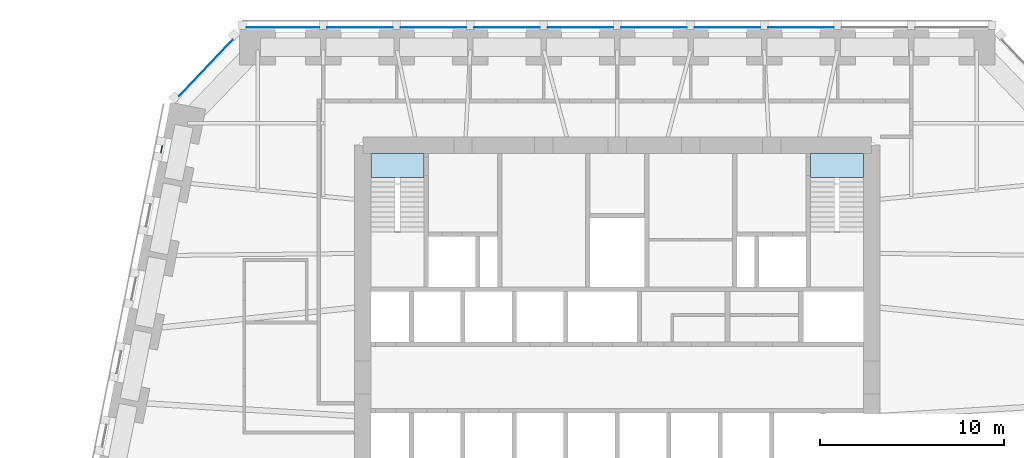
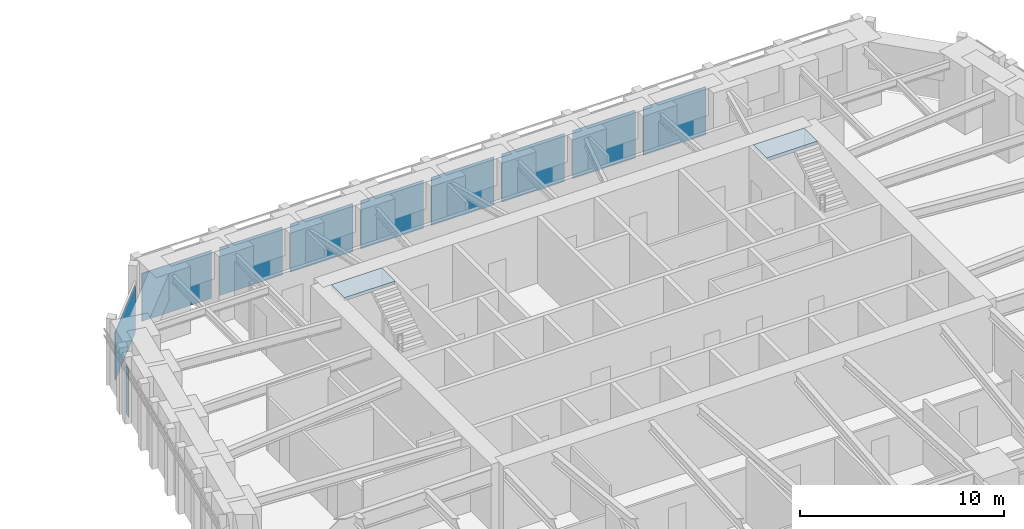
# One storey, part 10 of 18: 10 plates, 2 slabs, 5 elements without a shape of their own.
"""IFC4 building model written with IfcOpenShell, lengths in metres."""

from ifc_helpers import new_model, si_unit, direction, frame, origin, origin_2d, place, context, subcontext, project, spatial, polyline, rectangle, outline, extrude, material, layer, layer_set, type_object, element, aggregate, save


model = new_model("IFC4")

# Units and contexts
model_context = context("Model", 3, precision=1e-05, world=origin(), true_north=direction((0.0, 1.0)))
body_context = subcontext(model_context, "Body", "Model", "MODEL_VIEW")
ifc_project = project(units=[si_unit("LENGTHUNIT", "METRE"), si_unit("AREAUNIT", "SQUARE_METRE"), si_unit("VOLUMEUNIT", "CUBIC_METRE"), si_unit("PLANEANGLEUNIT", "RADIAN"), si_unit("MASSUNIT", "GRAM", prefix="KILO")], contexts=[model_context])

# Site, building, storey
site_placement = place(None, origin())
site = spatial("IfcSite", under=ifc_project, at=site_placement, CompositionType="ELEMENT")
building_placement = place(site_placement, origin())
building = spatial("IfcBuilding", under=site, at=building_placement, Name="Isbrekke Arena Tower", CompositionType="ELEMENT")
storey_placement = place(building_placement, frame((0.0, 0.0, 28.0)))
storey = spatial("IfcBuildingStorey", under=building, at=storey_placement, Name="L04", CompositionType="ELEMENT", Elevation=28.0)

# Curtain wall, plates
ifc_material_1 = material(Name="Glazed aluminium curtain wall", Category="aluminium")
curtain_wall_type = type_object("IfcCurtainWallType", Name="CWL TOWER CURTAIN WALL LOW ZONE", PredefinedType="USERDEFINED", material=ifc_material_1)
curtain_wall_1_placement = place(storey_placement, origin())
curtain_wall_1 = element("IfcCurtainWall", 1, at=curtain_wall_1_placement, inside=storey, type_object=curtain_wall_type, Name="CWL curtain wall L04-N", ObjectType="TOWER CURTAIN WALL LOW ZONE", PredefinedType="USERDEFINED")
ifc_material_2 = material(Name="Triple-glazed clear glass unit", Category="glass")
ifc_layer_1 = layer(ifc_material_2, 0.031982421875)
ifc_layer_set_1 = layer_set([ifc_layer_1], Name="CWL-P VISION PANEL")
plate_type = type_object("IfcPlateType", Name="CWL-P VISION PANEL", PredefinedType="CURTAIN_PANEL", material=ifc_layer_set_1)
plate_1_placement = place(storey_placement, frame((10.0, 30.25, 0.02001953125), z_axis=(0.0, 0.0, 1.0), x_axis=(-1.0, 0.0, 0.0)))
plate_1 = element("IfcPlate", 2, at=plate_1_placement, type_object=plate_type, Name="CWL-P panel 3", PredefinedType="CURTAIN_PANEL", context=body_context, shape_type="SweptSolid", body=[
    extrude(rectangle(XDim=3.550048828125, YDim=0.031982421875, at=origin_2d()), origin(), (0.0, 0.0, 1.0), 2.8798828125),
])
plate_2_placement = place(storey_placement, frame((6.0, 30.25, 0.02001953125), z_axis=(0.0, 0.0, 1.0), x_axis=(-1.0, 0.0, 0.0)))
plate_2 = element("IfcPlate", 3, at=plate_2_placement, type_object=plate_type, Name="CWL-P panel 4", PredefinedType="CURTAIN_PANEL", context=body_context, shape_type="SweptSolid", body=[
    extrude(rectangle(XDim=3.550048828125, YDim=0.031982421875, at=origin_2d()), origin(), (0.0, 0.0, 1.0), 2.8798828125),
])
plate_3_placement = place(storey_placement, frame((2.0, 30.25, 0.02001953125), z_axis=(0.0, 0.0, 1.0), x_axis=(-1.0, 0.0, 0.0)))
plate_3 = element("IfcPlate", 4, at=plate_3_placement, type_object=plate_type, Name="CWL-P panel 5", PredefinedType="CURTAIN_PANEL", context=body_context, shape_type="SweptSolid", body=[
    extrude(rectangle(XDim=3.550048828125, YDim=0.031982421875, at=origin_2d()), origin(), (0.0, 0.0, 1.0), 2.8798828125),
])
plate_4_placement = place(storey_placement, frame((-2.0, 30.25, 0.02001953125), z_axis=(0.0, 0.0, 1.0), x_axis=(-1.0, 0.0, 0.0)))
plate_4 = element("IfcPlate", 5, at=plate_4_placement, type_object=plate_type, Name="CWL-P panel 6", PredefinedType="CURTAIN_PANEL", context=body_context, shape_type="SweptSolid", body=[
    extrude(rectangle(XDim=3.550048828125, YDim=0.031982421875, at=origin_2d()), origin(), (0.0, 0.0, 1.0), 2.8798828125),
])
plate_5_placement = place(storey_placement, frame((-6.0, 30.25, 0.02001953125), z_axis=(0.0, 0.0, 1.0), x_axis=(-1.0, 0.0, 0.0)))
plate_5 = element("IfcPlate", 6, at=plate_5_placement, type_object=plate_type, Name="CWL-P panel 7", PredefinedType="CURTAIN_PANEL", context=body_context, shape_type="SweptSolid", body=[
    extrude(rectangle(XDim=3.550048828125, YDim=0.031982421875, at=origin_2d()), origin(), (0.0, 0.0, 1.0), 2.8798828125),
])
plate_6_placement = place(storey_placement, frame((-10.0, 30.25, 0.02001953125), z_axis=(0.0, 0.0, 1.0), x_axis=(-1.0, 0.0, 0.0)))
plate_6 = element("IfcPlate", 7, at=plate_6_placement, type_object=plate_type, Name="CWL-P panel 8", PredefinedType="CURTAIN_PANEL", context=body_context, shape_type="SweptSolid", body=[
    extrude(rectangle(XDim=3.550048828125, YDim=0.031982421875, at=origin_2d()), origin(), (0.0, 0.0, 1.0), 2.8798828125),
])
plate_7_placement = place(storey_placement, frame((-14.0, 30.25, 0.02001953125), z_axis=(0.0, 0.0, 1.0), x_axis=(-1.0, 0.0, 0.0)))
plate_7 = element("IfcPlate", 8, at=plate_7_placement, type_object=plate_type, Name="CWL-P panel 9", PredefinedType="CURTAIN_PANEL", context=body_context, shape_type="SweptSolid", body=[
    extrude(rectangle(XDim=3.550048828125, YDim=0.031982421875, at=origin_2d()), origin(), (0.0, 0.0, 1.0), 2.8798828125),
])
plate_8_placement = place(storey_placement, frame((-18.199951171875, 30.25, 0.02001953125), z_axis=(0.0, 0.0, 1.0), x_axis=(-1.0, 0.0, 0.0)))
plate_8 = element("IfcPlate", 9, at=plate_8_placement, type_object=plate_type, Name="CWL-P panel 10", PredefinedType="CURTAIN_PANEL", context=body_context, shape_type="SweptSolid", body=[
    extrude(rectangle(XDim=3.949951171875, YDim=0.031982421875, at=origin_2d()), origin(), (0.0, 0.0, 1.0), 2.8798828125),
])
aggregate(curtain_wall_1, [plate_1, plate_2, plate_3, plate_4, plate_5, plate_6, plate_7, plate_8])

# Curtain wall, plate
curtain_wall_2_placement = place(storey_placement, origin())
curtain_wall_2 = element("IfcCurtainWall", 10, at=curtain_wall_2_placement, inside=storey, type_object=curtain_wall_type, Name="CWL curtain wall L04-NW", ObjectType="TOWER CURTAIN WALL LOW ZONE", PredefinedType="USERDEFINED")
plate_9_placement = place(storey_placement, frame((-22.38623046875, 28.054443359375, 0.02001953125), z_axis=(0.0, 0.0, 1.0), x_axis=(-0.68874946192, -0.72499943359, 0.0)))
plate_9 = element("IfcPlate", 11, at=plate_9_placement, type_object=plate_type, Name="CWL-P panel 1", PredefinedType="CURTAIN_PANEL", context=body_context, shape_type="SweptSolid", body=[
    extrude(rectangle(XDim=4.22802734375, YDim=0.031982421875, at=origin_2d()), origin(), (0.0, 0.0, 1.0), 2.8798828125),
])
aggregate(curtain_wall_2, [plate_9])

curtain_wall_3_placement = place(storey_placement, origin())
curtain_wall_3 = element("IfcCurtainWall", 12, at=curtain_wall_3_placement, inside=storey, type_object=curtain_wall_type, Name="CWL curtain wall L04-W", ObjectType="TOWER CURTAIN WALL LOW ZONE", PredefinedType="USERDEFINED")
plate_10_placement = place(storey_placement, frame((-24.80322265625, 23.62109375, 0.02001953125), z_axis=(0.0, 0.0, 1.0), x_axis=(-0.196116135138, -0.980580675691, 0.0)))
plate_10 = element("IfcPlate", 13, at=plate_10_placement, type_object=plate_type, Name="CWL-P panel 1", PredefinedType="CURTAIN_PANEL", context=body_context, shape_type="SweptSolid", body=[
    extrude(rectangle(XDim=0.40625, YDim=0.031982421875, at=origin_2d()), origin(), (0.0, 0.0, 1.0), 2.8798828125),
])
aggregate(curtain_wall_3, [plate_10])

# Stair, slab
ifc_material_3 = material(Name="Concrete B45 (C45/55) precast", Category="concrete")
stair_type = type_object("IfcStairType", Name="ST40 STAIR 1300 WIDE, 24 RISERS 167", PredefinedType="HALF_TURN_STAIR", material=ifc_material_3)
stair_1_placement = place(storey_placement, origin())
stair_1 = element("IfcStair", 14, at=stair_1_placement, inside=storey, type_object=stair_type, Name="ST1 stair L04", PredefinedType="HALF_TURN_STAIR")
ifc_material_4 = material(Name="Concrete B35 (C35/45)", Category="concrete")
ifc_layer_2 = layer(ifc_material_4, 0.199951171875)
ifc_layer_set_2 = layer_set([ifc_layer_2], Name="SL1 STAIR LANDING 200")
slab_type = type_object("IfcSlabType", Name="SL1 STAIR LANDING 200", PredefinedType="LANDING", material=ifc_layer_set_2)
slab_1_placement = place(storey_placement, frame((0.0, 0.0, 3.800048828125)))
slab_1 = element("IfcSlab", 15, at=slab_1_placement, type_object=slab_type, Name="ST1 landing 2", PredefinedType="LANDING", context=body_context, shape_type="SweptSolid", body=[
    extrude(outline(polyline([(-13.39990234375, 22.10009765625), (-10.52490234375, 22.10009765625), (-10.52490234375, 23.39990234375), (-13.39990234375, 23.39990234375), (-13.39990234375, 22.10009765625)])), origin(), (0.0, 0.0, 1.0), 0.199951171875),
])
aggregate(stair_1, [slab_1])

stair_2_placement = place(storey_placement, origin())
stair_2 = element("IfcStair", 16, at=stair_2_placement, inside=storey, type_object=stair_type, Name="ST2 stair L04", PredefinedType="HALF_TURN_STAIR")
slab_2_placement = place(storey_placement, frame((0.0, 0.0, 3.800048828125)))
slab_2 = element("IfcSlab", 17, at=slab_2_placement, type_object=slab_type, Name="ST2 landing 2", PredefinedType="LANDING", context=body_context, shape_type="SweptSolid", body=[
    extrude(outline(polyline([(10.52490234375, 22.10009765625), (13.39990234375, 22.10009765625), (13.39990234375, 23.39990234375), (10.52490234375, 23.39990234375), (10.52490234375, 22.10009765625)])), origin(), (0.0, 0.0, 1.0), 0.199951171875),
])
aggregate(stair_2, [slab_2])

save(model, "model.ifc")
